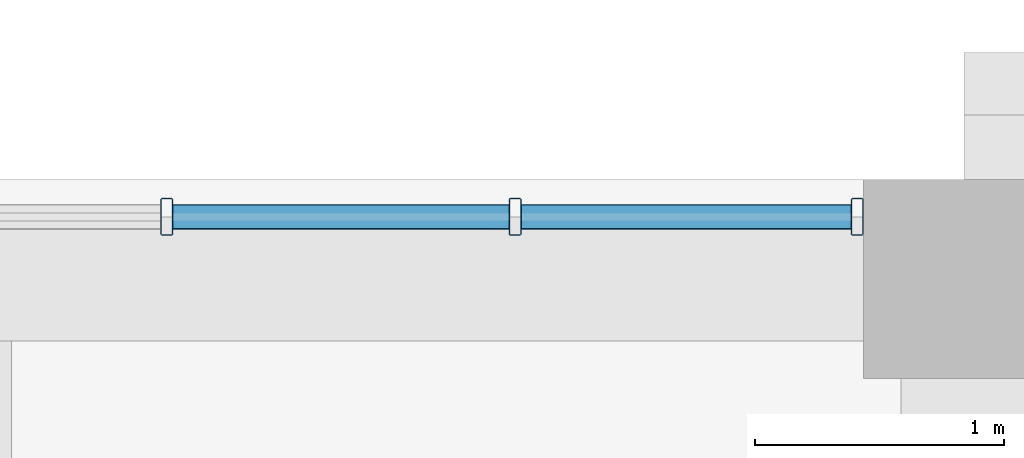
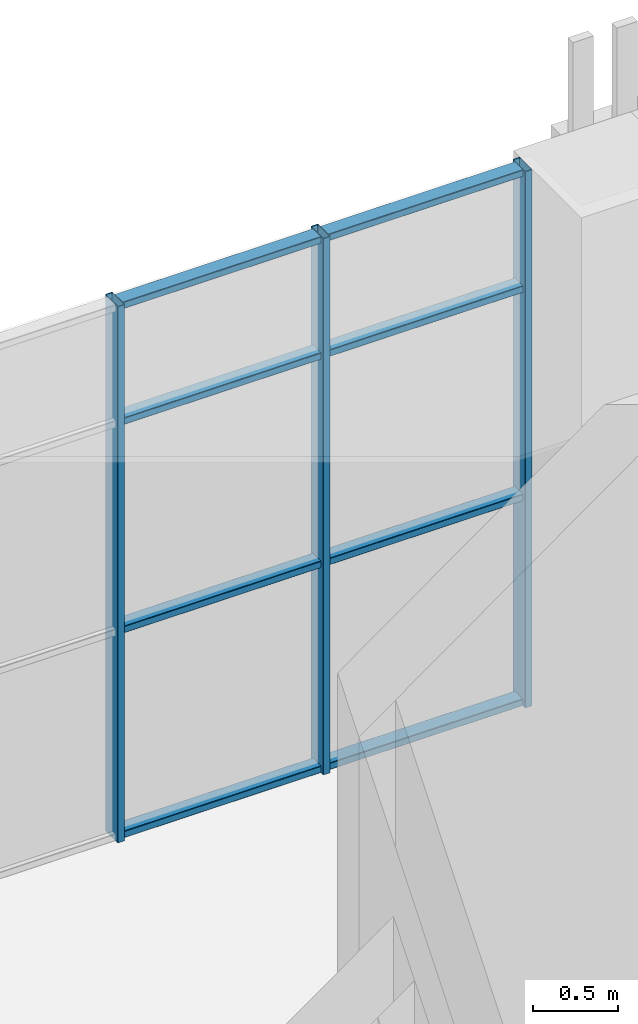
# One storey, part 5 of 92: 11 members, 1 element without a shape of its own.
"""IFC4 building model written with IfcOpenShell, lengths in metres."""

from ifc_helpers import new_model, si_unit, direction, frame, origin, origin_2d, place, context, subcontext, project, spatial, hollow_rectangle, extrude, material, material_profile, profile_set, type_object, element, aggregate, save


model = new_model("IFC4")

# Units and contexts
model_context = context("Model", 3, precision=1e-05, world=origin(), true_north=direction((0.0, 1.0)))
body_context = subcontext(model_context, "Body", "Model", "MODEL_VIEW")
ifc_project = project(units=[si_unit("LENGTHUNIT", "METRE"), si_unit("AREAUNIT", "SQUARE_METRE"), si_unit("VOLUMEUNIT", "CUBIC_METRE"), si_unit("PLANEANGLEUNIT", "RADIAN"), si_unit("MASSUNIT", "GRAM", prefix="KILO")], contexts=[model_context])

# Site, building, storey
site_placement = place(None, origin())
site = spatial("IfcSite", under=ifc_project, at=site_placement, CompositionType="ELEMENT")
building_placement = place(site_placement, origin())
building = spatial("IfcBuilding", under=site, at=building_placement, Name="Sun Court Science Centre", CompositionType="ELEMENT")
storey_placement = place(building_placement, frame((0.0, 0.0, 11.25)))
storey = spatial("IfcBuildingStorey", under=building, at=storey_placement, Name="L02", CompositionType="ELEMENT", Elevation=11.25)

# Curtain wall, members
ifc_material_1 = material(Name="Aluminium EN AW-6063 T6", Category="aluminium")
curtain_wall_type = type_object("IfcCurtainWallType", Name="Court gallery curtain wall 1500", PredefinedType="NOTDEFINED", material=ifc_material_1)
curtain_wall_placement = place(storey_placement, origin())
curtain_wall = element("IfcCurtainWall", 1, at=curtain_wall_placement, inside=storey, type_object=curtain_wall_type, Name="Curtain wall V2 N L02 01", PredefinedType="NOTDEFINED")
ifc_material_2 = material(Name="Aluminium EN AW-6063 T6", Category="aluminium")
ifc_material_profile_1 = material_profile(ifc_material_2, hollow_rectangle(XDim=0.050048828125, YDim=0.14990234375, WallThickness=0.00390625, InnerFilletRadius=0.00390625, OuterFilletRadius=0.006103515625, at=origin_2d()), Name="AL 50x150x4")
ifc_profile_set_1 = profile_set([ifc_material_profile_1], Name="Aluminium EN AW-6063 T6")
member_type_1 = type_object("IfcMemberType", Name="Curtain wall mullion AL 50x150", PredefinedType="MULLION", material=ifc_profile_set_1)
member_1_placement = place(storey_placement, frame((32.800048828125, 27.85009765625, 0.0), z_axis=(0.0, 0.0, 1.0), x_axis=(1.0, 0.0, 0.0)))
member_1 = element("IfcMember", 2, at=member_1_placement, type_object=member_type_1, Name="CW5-05 mullion 3", PredefinedType="MULLION", context=body_context, shape_type="SweptSolid", body=[
    extrude(hollow_rectangle(XDim=0.050048828125, YDim=0.14990234375, WallThickness=0.00390625, InnerFilletRadius=0.00390625, OuterFilletRadius=0.006103515625, at=origin_2d()), origin(), (0.0, 0.0, 1.0), 3.860107421875),
])
member_2_placement = place(storey_placement, frame((34.199951171875, 27.85009765625, 0.0), z_axis=(0.0, 0.0, 1.0), x_axis=(1.0, 0.0, 0.0)))
member_2 = element("IfcMember", 3, at=member_2_placement, type_object=member_type_1, Name="CW5-05 mullion 4", PredefinedType="MULLION", context=body_context, shape_type="SweptSolid", body=[
    extrude(hollow_rectangle(XDim=0.050048828125, YDim=0.14990234375, WallThickness=0.00390625, InnerFilletRadius=0.00390625, OuterFilletRadius=0.006103515625, at=origin_2d()), origin(), (0.0, 0.0, 1.0), 3.860107421875),
])
member_3_placement = place(storey_placement, frame((35.574951171875, 27.85009765625, 0.0), z_axis=(0.0, 0.0, 1.0), x_axis=(1.0, 0.0, 0.0)))
member_3 = element("IfcMember", 4, at=member_3_placement, type_object=member_type_1, Name="CW5-05 mullion 5", PredefinedType="MULLION", context=body_context, shape_type="SweptSolid", body=[
    extrude(hollow_rectangle(XDim=0.050048828125, YDim=0.14990234375, WallThickness=0.00390625, InnerFilletRadius=0.00390625, OuterFilletRadius=0.006103515625, at=origin_2d()), origin(), (0.0, 0.0, 1.0), 3.860107421875),
])
ifc_material_3 = material(Name="Aluminium EN AW-6063 T6", Category="aluminium")
ifc_material_profile_2 = material_profile(ifc_material_3, hollow_rectangle(XDim=0.050048828125, YDim=0.10009765625, WallThickness=0.00390625, InnerFilletRadius=0.00390625, OuterFilletRadius=0.006103515625, at=origin_2d()), Name="AL 50x100x4")
ifc_profile_set_2 = profile_set([ifc_material_profile_2], Name="Aluminium EN AW-6063 T6")
member_type_2 = type_object("IfcMemberType", Name="Curtain wall transom AL 50x100", PredefinedType="USERDEFINED", material=ifc_profile_set_2)
member_4_placement = place(storey_placement, frame((32.824951171875, 27.85009765625, 0.02490234375), z_axis=(1.0, 0.0, 0.0), x_axis=(0.0, 0.0, 1.0)))
member_4 = element("IfcMember", 5, at=member_4_placement, type_object=member_type_2, Name="CW5-05 transom 3.1", ObjectType="TRANSOM", PredefinedType="USERDEFINED", context=body_context, shape_type="SweptSolid", body=[
    extrude(hollow_rectangle(XDim=0.050048828125, YDim=0.10009765625, WallThickness=0.00390625, InnerFilletRadius=0.00390625, OuterFilletRadius=0.006103515625, at=origin_2d()), origin(), (0.0, 0.0, 1.0), 1.35009765625),
])
member_5_placement = place(storey_placement, frame((34.22509765625, 27.85009765625, 0.02490234375), z_axis=(1.0, 0.0, 0.0), x_axis=(0.0, 0.0, 1.0)))
member_5 = element("IfcMember", 6, at=member_5_placement, type_object=member_type_2, Name="CW5-05 transom 4.1", ObjectType="TRANSOM", PredefinedType="USERDEFINED", context=body_context, shape_type="SweptSolid", body=[
    extrude(hollow_rectangle(XDim=0.050048828125, YDim=0.10009765625, WallThickness=0.00390625, InnerFilletRadius=0.00390625, OuterFilletRadius=0.006103515625, at=origin_2d()), origin(), (0.0, 0.0, 1.0), 1.324951171875),
])
member_6_placement = place(storey_placement, frame((32.824951171875, 27.85009765625, 1.5), z_axis=(1.0, 0.0, 0.0), x_axis=(0.0, 0.0, 1.0)))
member_6 = element("IfcMember", 7, at=member_6_placement, type_object=member_type_2, Name="CW5-05 transom 3.2", ObjectType="TRANSOM", PredefinedType="USERDEFINED", context=body_context, shape_type="SweptSolid", body=[
    extrude(hollow_rectangle(XDim=0.050048828125, YDim=0.10009765625, WallThickness=0.00390625, InnerFilletRadius=0.00390625, OuterFilletRadius=0.006103515625, at=origin_2d()), origin(), (0.0, 0.0, 1.0), 1.35009765625),
])
member_7_placement = place(storey_placement, frame((34.22509765625, 27.85009765625, 1.5), z_axis=(1.0, 0.0, 0.0), x_axis=(0.0, 0.0, 1.0)))
member_7 = element("IfcMember", 8, at=member_7_placement, type_object=member_type_2, Name="CW5-05 transom 4.2", ObjectType="TRANSOM", PredefinedType="USERDEFINED", context=body_context, shape_type="SweptSolid", body=[
    extrude(hollow_rectangle(XDim=0.050048828125, YDim=0.10009765625, WallThickness=0.00390625, InnerFilletRadius=0.00390625, OuterFilletRadius=0.006103515625, at=origin_2d()), origin(), (0.0, 0.0, 1.0), 1.324951171875),
])
member_8_placement = place(storey_placement, frame((32.824951171875, 27.85009765625, 3.0), z_axis=(1.0, 0.0, 0.0), x_axis=(0.0, 0.0, 1.0)))
member_8 = element("IfcMember", 9, at=member_8_placement, type_object=member_type_2, Name="CW5-05 transom 3.3", ObjectType="TRANSOM", PredefinedType="USERDEFINED", context=body_context, shape_type="SweptSolid", body=[
    extrude(hollow_rectangle(XDim=0.050048828125, YDim=0.10009765625, WallThickness=0.00390625, InnerFilletRadius=0.00390625, OuterFilletRadius=0.006103515625, at=origin_2d()), origin(), (0.0, 0.0, 1.0), 1.35009765625),
])
member_9_placement = place(storey_placement, frame((34.22509765625, 27.85009765625, 3.0), z_axis=(1.0, 0.0, 0.0), x_axis=(0.0, 0.0, 1.0)))
member_9 = element("IfcMember", 10, at=member_9_placement, type_object=member_type_2, Name="CW5-05 transom 4.3", ObjectType="TRANSOM", PredefinedType="USERDEFINED", context=body_context, shape_type="SweptSolid", body=[
    extrude(hollow_rectangle(XDim=0.050048828125, YDim=0.10009765625, WallThickness=0.00390625, InnerFilletRadius=0.00390625, OuterFilletRadius=0.006103515625, at=origin_2d()), origin(), (0.0, 0.0, 1.0), 1.324951171875),
])
member_10_placement = place(storey_placement, frame((32.824951171875, 27.85009765625, 3.8349609375), z_axis=(1.0, 0.0, 0.0), x_axis=(0.0, 0.0, 1.0)))
member_10 = element("IfcMember", 11, at=member_10_placement, type_object=member_type_2, Name="CW5-05 transom 3.4", ObjectType="TRANSOM", PredefinedType="USERDEFINED", context=body_context, shape_type="SweptSolid", body=[
    extrude(hollow_rectangle(XDim=0.050048828125, YDim=0.10009765625, WallThickness=0.00390625, InnerFilletRadius=0.00390625, OuterFilletRadius=0.006103515625, at=origin_2d()), origin(), (0.0, 0.0, 1.0), 1.35009765625),
])
member_11_placement = place(storey_placement, frame((34.22509765625, 27.85009765625, 3.8349609375), z_axis=(1.0, 0.0, 0.0), x_axis=(0.0, 0.0, 1.0)))
member_11 = element("IfcMember", 12, at=member_11_placement, type_object=member_type_2, Name="CW5-05 transom 4.4", ObjectType="TRANSOM", PredefinedType="USERDEFINED", context=body_context, shape_type="SweptSolid", body=[
    extrude(hollow_rectangle(XDim=0.050048828125, YDim=0.10009765625, WallThickness=0.00390625, InnerFilletRadius=0.00390625, OuterFilletRadius=0.006103515625, at=origin_2d()), origin(), (0.0, 0.0, 1.0), 1.324951171875),
])
aggregate(curtain_wall, [member_1, member_2, member_3, member_4, member_5, member_6, member_7, member_8, member_9, member_10, member_11])

save(model, "model.ifc")
